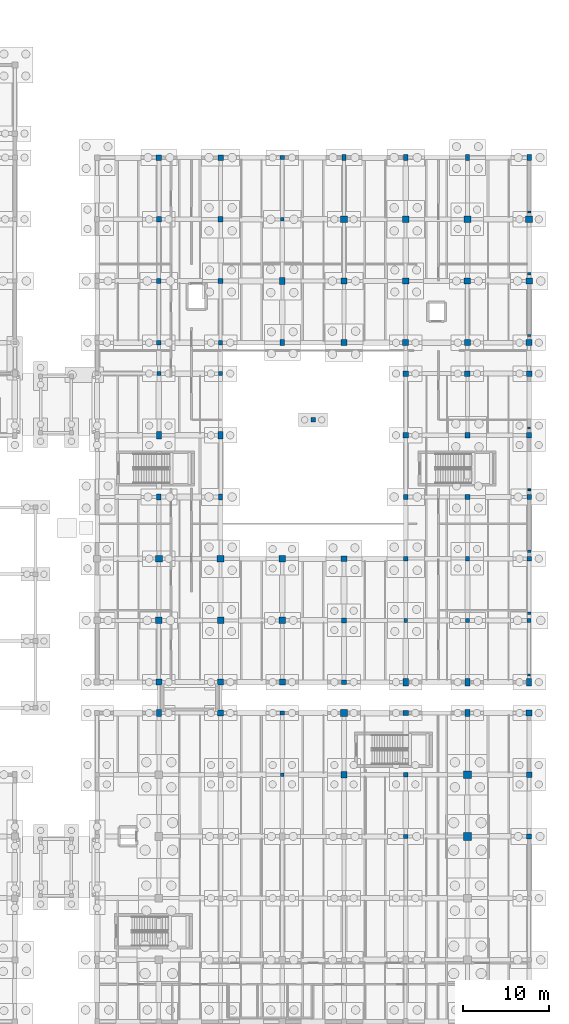
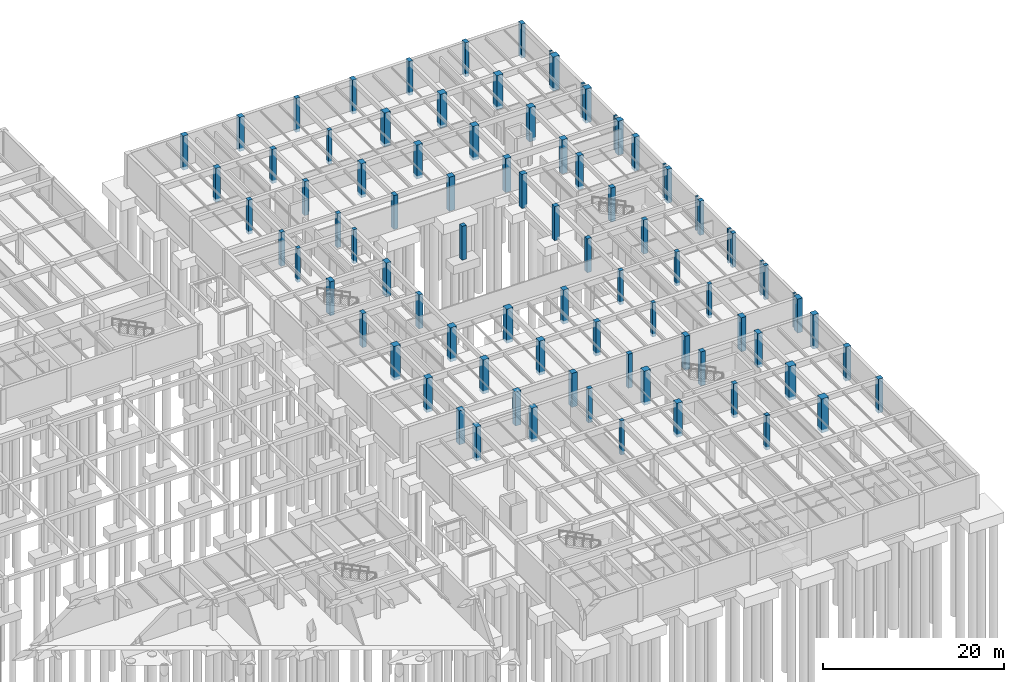
# One storey, part 22 of 63: 88 columns.
"""IFC4 building model written with IfcOpenShell, lengths in metres."""

import ifcopenshell
import ifcopenshell.guid

model = None  # the IFC model being written
_history = None  # IfcOwnerHistory: only IFC2X3 demands one
_inside = {}  # id of a spatial element -> (the spatial element, [elements in it])
_under = {}  # id of a project, library or spatial element -> (it, [spatial elements below it])
_declared = {}  # id of a project -> (the project, [libraries it declares])
_typed = {}  # id of a type object -> (the type object, [elements of that type])
_made_of = {}  # id of a material, layer set ... -> (it, [elements and type objects made of it])


def new_model(schema):
    """Start an empty IFC model of exactly this schema.

    Asked for "IFC4X3", IfcOpenShell would pick the latest addendum, in which some entities
    have other attributes; the version numbers below select the first issue.
    IFC2X3 requires an IfcOwnerHistory on every rooted entity: one is made here for all.
    """
    global model, _history
    if schema == "IFC4X3":
        model = ifcopenshell.file(schema_version=(4, 3, 0, 0))
    else:
        model = ifcopenshell.file(schema=schema)
    _inside.clear()
    _under.clear()
    _declared.clear()
    _typed.clear()
    _made_of.clear()
    _history = None
    if model.schema == "IFC2X3":
        org = make("IfcOrganization", Name="unknown")
        user = make(
            "IfcPersonAndOrganization",
            ThePerson=make("IfcPerson", FamilyName="unknown"),
            TheOrganization=org,
        )
        app = make(
            "IfcApplication",
            ApplicationDeveloper=org,
            Version="unknown",
            ApplicationFullName="unknown",
            ApplicationIdentifier="unknown",
        )
        _history = make(
            "IfcOwnerHistory",
            OwningUser=user,
            OwningApplication=app,
            ChangeAction="ADDED",
            CreationDate=0,
        )
    return model


def make(cls, **values):
    """One entity of the class cls with the attributes given. An attribute that is None is left unset."""
    return model.create_entity(
        cls, **{name: value for name, value in values.items() if value is not None}
    )


def rooted(cls, **values):
    """An entity with a GlobalId (a new one), such as an element, a storey or a relation."""
    return make(cls, GlobalId=ifcopenshell.guid.new(), OwnerHistory=_history, **values)


def si_unit(unit_type, name, prefix=None):
    """IfcSIUnit, for example si_unit("LENGTHUNIT", "METRE", prefix="MILLI")."""
    return make("IfcSIUnit", UnitType=unit_type, Prefix=prefix, Name=name)


def assignment(units):
    """IfcUnitAssignment: the units of a project."""
    return None if units is None else make("IfcUnitAssignment", Units=units)


def point(xyz):
    """IfcCartesianPoint."""
    return None if xyz is None else make("IfcCartesianPoint", Coordinates=xyz)


def direction(xyz):
    """IfcDirection."""
    return None if xyz is None else make("IfcDirection", DirectionRatios=xyz)


def frame(location, z_axis=None, x_axis=None):
    """IfcAxis2Placement3D, a coordinate frame: its origin and axes. An axis left out is left unset."""
    return make(
        "IfcAxis2Placement3D",
        Location=point(location),
        Axis=direction(z_axis),
        RefDirection=direction(x_axis),
    )


def frame_2d(location, x_axis=None):
    """IfcAxis2Placement2D, a coordinate frame in the plane: its origin and x axis."""
    return make(
        "IfcAxis2Placement2D", Location=point(location), RefDirection=direction(x_axis)
    )


def origin():
    """The frame at (0, 0, 0) with its axes left unset."""
    return frame((0.0, 0.0, 0.0))


def origin_2d():
    """The frame at (0, 0) in the plane with its x axis left unset."""
    return frame_2d((0.0, 0.0))


def place(relative_to, where):
    """IfcLocalPlacement: puts the frame where relative to a parent placement (None: the world)."""
    return make(
        "IfcLocalPlacement", PlacementRelTo=relative_to, RelativePlacement=where
    )


def context(
    kind, dimensions, precision=None, world=None, true_north=None, identifier=None
):
    """IfcGeometricRepresentationContext, for example the 3D "Model" context."""
    return make(
        "IfcGeometricRepresentationContext",
        ContextIdentifier=identifier,
        ContextType=kind,
        CoordinateSpaceDimension=dimensions,
        Precision=precision,
        WorldCoordinateSystem=world,
        TrueNorth=true_north,
    )


def subcontext(parent, identifier, kind, view, scale=None):
    """IfcGeometricRepresentationSubContext, for example "Body" below "Model"."""
    return make(
        "IfcGeometricRepresentationSubContext",
        ContextIdentifier=identifier,
        ContextType=kind,
        ParentContext=parent,
        TargetScale=scale,
        TargetView=view,
    )


def project(units=None, contexts=None):
    """IfcProject with its units and contexts."""
    return rooted(
        "IfcProject",
        Name="project",
        RepresentationContexts=contexts,
        UnitsInContext=assignment(units),
    )


def spatial(cls, under=None, at=None, **own):
    """A site, building, storey or space (cls), placed at a placement, below another one or the project."""
    s = rooted(cls, ObjectPlacement=at, **own)
    if under is not None:
        _under.setdefault(under.id(), (under, []))[1].append(s)
    return s


def profile(cls, at=None, kind="AREA", **sizes):
    """A parametric profile (cls). Its sizes go by their IFC names, for example OverallWidth=200.0."""
    return make(cls, ProfileType=kind, Position=at, **sizes)


def rectangle(**sizes):
    """IfcRectangleProfileDef."""
    return profile("IfcRectangleProfileDef", **sizes)


def extrude(swept, where, along, depth):
    """IfcExtrudedAreaSolid: the profile swept, set in the frame where, extruded along a direction by depth."""
    return make(
        "IfcExtrudedAreaSolid",
        SweptArea=swept,
        Position=where,
        ExtrudedDirection=direction(along),
        Depth=depth,
    )


def shape(context_of_items, identifier, shape_type, items):
    """IfcShapeRepresentation: the items that make up one representation, for example the "Body"."""
    return make(
        "IfcShapeRepresentation",
        ContextOfItems=context_of_items,
        RepresentationIdentifier=identifier,
        RepresentationType=shape_type,
        Items=items,
    )


def material(Name=None, Category=None):
    """IfcMaterial."""
    return make("IfcMaterial", Name=Name, Category=Category)


def material_profile(
    of_material, cross_section, Name=None, Category=None, Priority=None
):
    """IfcMaterialProfile: a cross section and its material."""
    return make(
        "IfcMaterialProfile",
        Name=Name,
        Material=of_material,
        Profile=cross_section,
        Priority=Priority,
        Category=Category,
    )


def profile_set(profiles, Name=None, composite=None):
    """IfcMaterialProfileSet."""
    return make(
        "IfcMaterialProfileSet",
        Name=Name,
        MaterialProfiles=profiles,
        CompositeProfile=composite,
    )


def made_of(thing, what):
    """Note that an element or type object is made of a material, layer set ...; save() writes the relation."""
    if what is not None:
        _made_of.setdefault(what.id(), (what, []))[1].append(thing)
    return thing


def type_object(cls, material=None, **own):
    """A type object (cls), such as IfcWallType, which elements share."""
    return made_of(rooted(cls, **own), material)


def element(
    cls,
    number,
    at=None,
    inside=None,
    cuts=None,
    type_object=None,
    material=None,
    context=None,
    identifier="Body",
    shape_type=None,
    held_by="IfcProductDefinitionShape",
    body=None,
    shapes=None,
    **own,
):
    """One element of the class cls, such as IfcWall. Its Tag is "e" and its number.

    at: its placement. inside: the storey or other place that contains it. cuts: it is an
    opening in that element (IfcRelVoidsElement). A single representation is given by context,
    identifier, shape_type and body (its items); several are given by shapes. held_by: the class
    of the entity that holds the representations. save() writes the other relations.
    """
    e = rooted(cls, Tag="e%d" % number, ObjectPlacement=at, **own)
    if body is not None:
        shapes = [shape(context, identifier, shape_type, body)]
    if shapes is not None:
        e.Representation = make(held_by, Representations=shapes)
    if inside is not None:
        _inside.setdefault(inside.id(), (inside, []))[1].append(e)
    if cuts is not None:
        rooted(
            "IfcRelVoidsElement", RelatingBuildingElement=cuts, RelatedOpeningElement=e
        )
    if type_object is not None:
        _typed.setdefault(type_object.id(), (type_object, []))[1].append(e)
    return made_of(e, material)


def aggregate(whole, parts):
    """IfcRelAggregates: a whole, such as a stair, and the parts it consists of."""
    return rooted("IfcRelAggregates", RelatingObject=whole, RelatedObjects=parts)


def save(model, path):
    """Write the relations noted so far, then the file.

    IfcRelAggregates (storeys below a building ...), IfcRelContainedInSpatialStructure (elements
    in a storey), IfcRelDefinesByType, IfcRelAssociatesMaterial and IfcRelDeclares: one each for
    every whole, place, type object, material and project.
    """
    for whole, parts in _under.values():
        aggregate(whole, parts)
    for where, things in _inside.values():
        rooted(
            "IfcRelContainedInSpatialStructure",
            RelatedElements=things,
            RelatingStructure=where,
        )
    for kind, things in _typed.values():
        rooted("IfcRelDefinesByType", RelatedObjects=things, RelatingType=kind)
    for what, things in _made_of.values():
        rooted("IfcRelAssociatesMaterial", RelatedObjects=things, RelatingMaterial=what)
    for by, libraries in _declared.values():
        rooted("IfcRelDeclares", RelatingContext=by, RelatedDefinitions=libraries)
    model.write(path)


model = new_model("IFC4")

# Units and contexts
model_context = context("Model", 3, precision=1e-05, world=origin(), true_north=direction((0.0, 1.0)))
body_context = subcontext(model_context, "Body", "Model", "MODEL_VIEW")
ifc_project = project(units=[si_unit("LENGTHUNIT", "METRE"), si_unit("AREAUNIT", "SQUARE_METRE"), si_unit("VOLUMEUNIT", "CUBIC_METRE"), si_unit("PLANEANGLEUNIT", "RADIAN"), si_unit("MASSUNIT", "GRAM", prefix="KILO")], contexts=[model_context])

# Site, building, storey
site_placement = place(None, origin())
site = spatial("IfcSite", under=ifc_project, at=site_placement, CompositionType="ELEMENT")
building_placement = place(site_placement, origin())
building = spatial("IfcBuilding", under=site, at=building_placement, Name="Mazaris Harbour Polytechnic", CompositionType="ELEMENT")
storey_placement = place(building_placement, frame((0.0, 0.0, -4.5)))
storey = spatial("IfcBuildingStorey", under=building, at=storey_placement, Name="B1", CompositionType="ELEMENT", Elevation=-4.5)

# Columns
ifc_material_1 = material(Name="Concrete C35/45", Category="concrete")
ifc_material_profile_1 = material_profile(ifc_material_1, rectangle(XDim=0.320068359375, YDim=0.219970703125, at=origin_2d()), Name="RECT320x220")
ifc_profile_set_1 = profile_set([ifc_material_profile_1], Name="Concrete C35/45")
column_type_1 = type_object("IfcColumnType", Name="Limestone Pilaster 320x220", PredefinedType="PILASTER", material=ifc_profile_set_1)
for number, where, z_axis, x_axis, name in (
    (1, (172.800048828125, 69.25, -0.419921875), (0.0, 0.0, 1.0), (1.0, 0.0, 0.0), "V5 B1 Giant Order Pilaster 52"),
    (2, (172.800048828125, 101.64990234375, -0.419921875), (0.0, 0.0, 1.0), (1.0, 0.0, 0.0), "V5 B1 Giant Order Pilaster 56"),
):
    element("IfcColumn", number, at=place(storey_placement, frame(where, z_axis=z_axis, x_axis=x_axis)), inside=storey, type_object=column_type_1, Name=name, PredefinedType="PILASTER", context=body_context, shape_type="SweptSolid", body=[
        extrude(rectangle(XDim=0.320068359375, YDim=0.219970703125, at=origin_2d()), origin(), (0.0, 0.0, 1.0), 4.599853515625),
    ])
ifc_material_2 = material(Name="Concrete C35/45", Category="concrete")
ifc_material_profile_2 = material_profile(ifc_material_2, rectangle(XDim=0.360107421875, YDim=0.239990234375, at=origin_2d()), Name="RECT360x240")
ifc_profile_set_2 = profile_set([ifc_material_profile_2], Name="Concrete C35/45")
column_type_2 = type_object("IfcColumnType", Name="Limestone Pilaster 360x240", PredefinedType="PILASTER", material=ifc_profile_set_2)
for number, where, z_axis, x_axis, name in (
    (3, (172.800048828125, 47.64990234375, -0.419921875), (0.0, 0.0, 1.0), (1.0, 0.0, 0.0), "V5 B1 Giant Order Pilaster 49"),
    (4, (172.800048828125, 76.449951171875, -0.419921875), (0.0, 0.0, 1.0), (1.0, 0.0, 0.0), "V5 B1 Giant Order Pilaster 53"),
):
    element("IfcColumn", number, at=place(storey_placement, frame(where, z_axis=z_axis, x_axis=x_axis)), inside=storey, type_object=column_type_2, Name=name, PredefinedType="PILASTER", context=body_context, shape_type="SweptSolid", body=[
        extrude(rectangle(XDim=0.360107421875, YDim=0.239990234375, at=origin_2d()), origin(), (0.0, 0.0, 1.0), 4.599853515625),
    ])
ifc_material_3 = material(Name="Concrete C35/45", Category="concrete")
ifc_material_profile_3 = material_profile(ifc_material_3, rectangle(XDim=0.39990234375, YDim=0.260009765625, at=origin_2d()), Name="RECT400x260")
ifc_profile_set_3 = profile_set([ifc_material_profile_3], Name="Concrete C35/45")
column_type_3 = type_object("IfcColumnType", Name="Limestone Pilaster 400x260", PredefinedType="PILASTER", material=ifc_profile_set_3)
for number, where, z_axis, x_axis, name in (
    (5, (172.800048828125, 54.85009765625, -0.419921875), (0.0, 0.0, 1.0), (1.0, 0.0, 0.0), "V5 B1 Giant Order Pilaster 50"),
    (6, (172.800048828125, 87.25, -0.419921875), (0.0, 0.0, 1.0), (1.0, 0.0, 0.0), "V5 B1 Giant Order Pilaster 54"),
):
    element("IfcColumn", number, at=place(storey_placement, frame(where, z_axis=z_axis, x_axis=x_axis)), inside=storey, type_object=column_type_3, Name=name, PredefinedType="PILASTER", context=body_context, shape_type="SweptSolid", body=[
        extrude(rectangle(XDim=0.39990234375, YDim=0.260009765625, at=origin_2d()), origin(), (0.0, 0.0, 1.0), 4.599853515625),
    ])
ifc_material_4 = material(Name="Concrete C35/45", Category="concrete")
ifc_material_profile_4 = material_profile(ifc_material_4, rectangle(XDim=0.43994140625, YDim=0.280029296875, at=origin_2d()), Name="RECT440x280")
ifc_profile_set_4 = profile_set([ifc_material_profile_4], Name="Concrete C35/45")
column_type_4 = type_object("IfcColumnType", Name="Limestone Pilaster 440x280", PredefinedType="PILASTER", material=ifc_profile_set_4)
for number, where, z_axis, x_axis, name in (
    (7, (172.800048828125, 62.050048828125, -0.419921875), (0.0, 0.0, 1.0), (1.0, 0.0, 0.0), "V5 B1 Giant Order Pilaster 51"),
    (8, (172.800048828125, 94.449951171875, -0.419921875), (0.0, 0.0, 1.0), (1.0, 0.0, 0.0), "V5 B1 Giant Order Pilaster 55"),
):
    element("IfcColumn", number, at=place(storey_placement, frame(where, z_axis=z_axis, x_axis=x_axis)), inside=storey, type_object=column_type_4, Name=name, PredefinedType="PILASTER", context=body_context, shape_type="SweptSolid", body=[
        extrude(rectangle(XDim=0.43994140625, YDim=0.280029296875, at=origin_2d()), origin(), (0.0, 0.0, 1.0), 4.599853515625),
    ])
ifc_material_5 = material(Name="Concrete C40/50", Category="concrete")
ifc_material_profile_5 = material_profile(ifc_material_5, rectangle(XDim=0.449951171875, YDim=0.449951171875, at=origin_2d()), Name="RECT450x450")
ifc_profile_set_5 = profile_set([ifc_material_profile_5], Name="Concrete C40/50")
column_type_5 = type_object("IfcColumnType", Name="RC Column 450x450", PredefinedType="COLUMN", material=ifc_profile_set_5)
for number, where, z_axis, x_axis, name in (
    (9, (144.0, 36.0, -0.419921875), (0.0, 0.0, 1.0), (1.0, 0.0, 0.0), "V2 B1 Column 199"),
    (10, (129.60009765625, 82.800048828125, -0.419921875), (0.0, 0.0, 1.0), (1.0, 0.0, 0.0), "V5 B1 Column 1119"),
    (11, (136.800048828125, 82.800048828125, -0.419921875), (0.0, 0.0, 1.0), (1.0, 0.0, 0.0), "V5 B1 Column 1129"),
    (12, (144.0, 100.800048828125, -0.419921875), (0.0, 0.0, 1.0), (1.0, 0.0, 0.0), "V5 B1 Column 1139"),
    (13, (158.39990234375, 54.0, -0.419921875), (0.0, 0.0, 1.0), (1.0, 0.0, 0.0), "V5 B1 Column 1149"),
    (14, (165.60009765625, 54.0, -0.419921875), (0.0, 0.0, 1.0), (1.0, 0.0, 0.0), "V5 B1 Column 1159"),
    (15, (172.800048828125, 54.0, -0.419921875), (0.0, 0.0, 1.0), (1.0, 0.0, 0.0), "V5 B1 Column 1169"),
):
    element("IfcColumn", number, at=place(storey_placement, frame(where, z_axis=z_axis, x_axis=x_axis)), inside=storey, type_object=column_type_5, Name=name, PredefinedType="COLUMN", context=body_context, shape_type="SweptSolid", body=[
        extrude(rectangle(XDim=0.449951171875, YDim=0.449951171875, at=origin_2d()), origin(), (0.0, 0.0, 1.0), 4.599853515625),
    ])
ifc_material_6 = material(Name="Concrete C40/50", Category="concrete")
ifc_material_profile_6 = material_profile(ifc_material_6, rectangle(XDim=0.5, YDim=0.5, at=origin_2d()), Name="RECT500x500")
ifc_profile_set_6 = profile_set([ifc_material_profile_6], Name="Concrete C40/50")
column_type_6 = type_object("IfcColumnType", Name="RC Column 500x500", PredefinedType="COLUMN", material=ifc_profile_set_6)
column_1_placement = place(storey_placement, frame((144.0, 43.199951171875, -0.419921875), z_axis=(0.0, 0.0, 1.0), x_axis=(1.0, 0.0, 0.0)))
element("IfcColumn", 16, at=column_1_placement, inside=storey, type_object=column_type_6, Name="V2 B1 Column 200", PredefinedType="COLUMN", context=body_context, shape_type="SweptSolid", body=[
    extrude(rectangle(XDim=0.5, YDim=0.5, at=origin_2d()), origin(), (0.0, 0.0, 1.0), 4.599853515625),
])
column_2_placement = place(storey_placement, frame((158.39990234375, 28.800048828125, -0.419921875), z_axis=(0.0, 0.0, 1.0), x_axis=(1.0, 0.0, 0.0)))
element("IfcColumn", 17, at=column_2_placement, inside=storey, type_object=column_type_6, Name="V2 B1 Column 210", PredefinedType="COLUMN", context=body_context, shape_type="SweptSolid", body=[
    extrude(rectangle(XDim=0.5, YDim=0.5, at=origin_2d()), origin(), (0.0, 0.0, 1.0), 4.679931640625),
])
for number, where, z_axis, x_axis, name in (
    (18, (129.60009765625, 86.39990234375, -0.419921875), (0.0, 0.0, 1.0), (1.0, 0.0, 0.0), "V5 B1 Column 1120"),
    (19, (136.800048828125, 86.39990234375, -0.419921875), (0.0, 0.0, 1.0), (1.0, 0.0, 0.0), "V5 B1 Column 1130"),
    (20, (144.0, 108.0, -0.419921875), (0.0, 0.0, 1.0), (1.0, 0.0, 0.0), "V5 B1 Column 1140"),
    (21, (158.39990234375, 61.199951171875, -0.419921875), (0.0, 0.0, 1.0), (1.0, 0.0, 0.0), "V5 B1 Column 1150"),
    (22, (165.60009765625, 61.199951171875, -0.419921875), (0.0, 0.0, 1.0), (1.0, 0.0, 0.0), "V5 B1 Column 1160"),
    (23, (172.800048828125, 61.199951171875, -0.419921875), (0.0, 0.0, 1.0), (1.0, 0.0, 0.0), "V5 B1 Column 1170"),
):
    element("IfcColumn", number, at=place(storey_placement, frame(where, z_axis=z_axis, x_axis=x_axis)), inside=storey, type_object=column_type_6, Name=name, PredefinedType="COLUMN", context=body_context, shape_type="SweptSolid", body=[
        extrude(rectangle(XDim=0.5, YDim=0.5, at=origin_2d()), origin(), (0.0, 0.0, 1.0), 4.599853515625),
    ])
ifc_material_7 = material(Name="Concrete C40/50", Category="concrete")
ifc_material_profile_7 = material_profile(ifc_material_7, rectangle(XDim=0.5, YDim=0.699951171875, at=origin_2d()), Name="RECT500x700")
ifc_profile_set_7 = profile_set([ifc_material_profile_7], Name="Concrete C40/50")
column_type_7 = type_object("IfcColumnType", Name="RC Column 500x700", PredefinedType="COLUMN", material=ifc_profile_set_7)
for number, where, z_axis, x_axis, name in (
    (24, (129.60009765625, 68.39990234375, -0.419921875), (0.0, 0.0, 1.0), (1.0, 0.0, 0.0), "V5 B1 Column 1117"),
    (25, (136.800048828125, 68.39990234375, -0.419921875), (0.0, 0.0, 1.0), (1.0, 0.0, 0.0), "V5 B1 Column 1127"),
    (26, (144.0, 86.39990234375, -0.419921875), (0.0, 0.0, 1.0), (1.0, 0.0, 0.0), "V5 B1 Column 1137"),
    (27, (151.199951171875, 108.0, -0.419921875), (0.0, 0.0, 1.0), (1.0, 0.0, 0.0), "V5 B1 Column 1147"),
    (28, (158.39990234375, 108.0, -0.419921875), (0.0, 0.0, 1.0), (1.0, 0.0, 0.0), "V5 B1 Column 1157"),
    (29, (165.60009765625, 108.0, -0.419921875), (0.0, 0.0, 1.0), (1.0, 0.0, 0.0), "V5 B1 Column 1167"),
    (30, (172.800048828125, 108.0, -0.419921875), (0.0, 0.0, 1.0), (1.0, 0.0, 0.0), "V5 B1 Column 1177"),
):
    element("IfcColumn", number, at=place(storey_placement, frame(where, z_axis=z_axis, x_axis=x_axis)), inside=storey, type_object=column_type_7, Name=name, PredefinedType="COLUMN", context=body_context, shape_type="SweptSolid", body=[
        extrude(rectangle(XDim=0.5, YDim=0.699951171875, at=origin_2d()), origin(), (0.0, 0.0, 1.0), 4.599853515625),
    ])
ifc_material_8 = material(Name="Concrete C40/50", Category="concrete")
ifc_material_profile_8 = material_profile(ifc_material_8, rectangle(XDim=0.550048828125, YDim=0.550048828125, at=origin_2d()), Name="RECT550x550")
ifc_profile_set_8 = profile_set([ifc_material_profile_8], Name="Concrete C40/50")
column_type_8 = type_object("IfcColumnType", Name="RC Column 550x550", PredefinedType="COLUMN", material=ifc_profile_set_8)
for number, where, z_axis, x_axis, name in (
    (31, (158.39990234375, 36.0, -0.419921875), (0.0, 0.0, 1.0), (1.0, 0.0, 0.0), "V2 B1 Column 211"),
    (32, (129.60009765625, 93.60009765625, -0.419921875), (0.0, 0.0, 1.0), (1.0, 0.0, 0.0), "V5 B1 Column 1121"),
    (33, (136.800048828125, 93.60009765625, -0.419921875), (0.0, 0.0, 1.0), (1.0, 0.0, 0.0), "V5 B1 Column 1131"),
    (34, (151.199951171875, 46.800048828125, -0.419921875), (0.0, 0.0, 1.0), (1.0, 0.0, 0.0), "V5 B1 Column 1141"),
    (35, (158.39990234375, 68.39990234375, -0.419921875), (0.0, 0.0, 1.0), (1.0, 0.0, 0.0), "V5 B1 Column 1151"),
    (36, (165.60009765625, 68.39990234375, -0.419921875), (0.0, 0.0, 1.0), (1.0, 0.0, 0.0), "V5 B1 Column 1161"),
    (37, (172.800048828125, 68.39990234375, -0.419921875), (0.0, 0.0, 1.0), (1.0, 0.0, 0.0), "V5 B1 Column 1171"),
):
    element("IfcColumn", number, at=place(storey_placement, frame(where, z_axis=z_axis, x_axis=x_axis)), inside=storey, type_object=column_type_8, Name=name, PredefinedType="COLUMN", context=body_context, shape_type="SweptSolid", body=[
        extrude(rectangle(XDim=0.550048828125, YDim=0.550048828125, at=origin_2d()), origin(), (0.0, 0.0, 1.0), 4.599853515625),
    ])
column_3_placement = place(storey_placement, frame((147.60009765625, 77.39990234375, -0.3798828125), z_axis=(0.0, 0.0, 1.0), x_axis=(1.0, 0.0, 0.0)))
element("IfcColumn", 38, at=column_3_placement, inside=storey, type_object=column_type_8, Name="Courtyard Deck Support Column 34", PredefinedType="COLUMN", context=body_context, shape_type="SweptSolid", body=[
    extrude(rectangle(XDim=0.550048828125, YDim=0.550048828125, at=origin_2d()), origin(), (0.0, 0.0, 1.0), 4.579833984375),
])
ifc_material_9 = material(Name="Concrete C40/50", Category="concrete")
ifc_material_profile_9 = material_profile(ifc_material_9, rectangle(XDim=0.60009765625, YDim=0.60009765625, at=origin_2d()), Name="RECT600x600")
ifc_profile_set_9 = profile_set([ifc_material_profile_9], Name="Concrete C40/50")
column_type_9 = type_object("IfcColumnType", Name="RC Column 600x600", PredefinedType="COLUMN", material=ifc_profile_set_9)
for number, where, z_axis, x_axis, name in (
    (39, (158.39990234375, 43.199951171875, -0.419921875), (0.0, 0.0, 1.0), (1.0, 0.0, 0.0), "V2 B1 Column 212"),
    (40, (172.800048828125, 28.800048828125, -0.419921875), (0.0, 0.0, 1.0), (1.0, 0.0, 0.0), "V2 B1 Column 222"),
    (41, (129.60009765625, 100.800048828125, -0.419921875), (0.0, 0.0, 1.0), (1.0, 0.0, 0.0), "V5 B1 Column 1122"),
    (42, (136.800048828125, 100.800048828125, -0.419921875), (0.0, 0.0, 1.0), (1.0, 0.0, 0.0), "V5 B1 Column 1132"),
    (43, (151.199951171875, 54.0, -0.419921875), (0.0, 0.0, 1.0), (1.0, 0.0, 0.0), "V5 B1 Column 1142"),
    (44, (158.39990234375, 75.60009765625, -0.419921875), (0.0, 0.0, 1.0), (1.0, 0.0, 0.0), "V5 B1 Column 1152"),
    (45, (165.60009765625, 75.60009765625, -0.419921875), (0.0, 0.0, 1.0), (1.0, 0.0, 0.0), "V5 B1 Column 1162"),
    (46, (172.800048828125, 75.60009765625, -0.419921875), (0.0, 0.0, 1.0), (1.0, 0.0, 0.0), "V5 B1 Column 1172"),
):
    element("IfcColumn", number, at=place(storey_placement, frame(where, z_axis=z_axis, x_axis=x_axis)), inside=storey, type_object=column_type_9, Name=name, PredefinedType="COLUMN", context=body_context, shape_type="SweptSolid", body=[
        extrude(rectangle(XDim=0.60009765625, YDim=0.60009765625, at=origin_2d()), origin(), (0.0, 0.0, 1.0), 4.599853515625),
    ])
ifc_material_10 = material(Name="Concrete C40/50", Category="concrete")
ifc_material_profile_10 = material_profile(ifc_material_10, rectangle(XDim=0.60009765625, YDim=0.85009765625, at=origin_2d()), Name="RECT600x850")
ifc_profile_set_10 = profile_set([ifc_material_profile_10], Name="Concrete C40/50")
column_type_10 = type_object("IfcColumnType", Name="RC Column 600x850", PredefinedType="COLUMN", material=ifc_profile_set_10)
for number, where, z_axis, x_axis, name in (
    (47, (129.60009765625, 43.199951171875, -0.419921875), (0.0, 0.0, 1.0), (1.0, 0.0, 0.0), "V2 B1 Column 188"),
    (48, (165.60009765625, 43.199951171875, -0.419921875), (0.0, 0.0, 1.0), (1.0, 0.0, 0.0), "V2 B1 Column 218"),
    (49, (129.60009765625, 75.60009765625, -0.419921875), (0.0, 0.0, 1.0), (1.0, 0.0, 0.0), "V5 B1 Column 1118"),
    (50, (136.800048828125, 75.60009765625, -0.419921875), (0.0, 0.0, 1.0), (1.0, 0.0, 0.0), "V5 B1 Column 1128"),
    (51, (144.0, 93.60009765625, -0.419921875), (0.0, 0.0, 1.0), (1.0, 0.0, 0.0), "V5 B1 Column 1138"),
    (52, (158.39990234375, 46.800048828125, -0.419921875), (0.0, 0.0, 1.0), (1.0, 0.0, 0.0), "V5 B1 Column 1148"),
    (53, (165.60009765625, 46.800048828125, -0.419921875), (0.0, 0.0, 1.0), (1.0, 0.0, 0.0), "V5 B1 Column 1158"),
    (54, (172.800048828125, 46.800048828125, -0.419921875), (0.0, 0.0, 1.0), (1.0, 0.0, 0.0), "V5 B1 Column 1168"),
):
    element("IfcColumn", number, at=place(storey_placement, frame(where, z_axis=z_axis, x_axis=x_axis)), inside=storey, type_object=column_type_10, Name=name, PredefinedType="COLUMN", context=body_context, shape_type="SweptSolid", body=[
        extrude(rectangle(XDim=0.60009765625, YDim=0.85009765625, at=origin_2d()), origin(), (0.0, 0.0, 1.0), 4.599853515625),
    ])
ifc_material_11 = material(Name="Concrete C40/50", Category="concrete")
ifc_material_profile_11 = material_profile(ifc_material_11, rectangle(XDim=0.64990234375, YDim=0.64990234375, at=origin_2d()), Name="RECT650x650")
ifc_profile_set_11 = profile_set([ifc_material_profile_11], Name="Concrete C40/50")
column_type_11 = type_object("IfcColumnType", Name="RC Column 650x650", PredefinedType="COLUMN", material=ifc_profile_set_11)
for number, where, z_axis, x_axis, name in (
    (55, (172.800048828125, 36.0, -0.419921875), (0.0, 0.0, 1.0), (1.0, 0.0, 0.0), "V2 B1 Column 223"),
    (56, (129.60009765625, 108.0, -0.419921875), (0.0, 0.0, 1.0), (1.0, 0.0, 0.0), "V5 B1 Column 1123"),
    (57, (136.800048828125, 108.0, -0.419921875), (0.0, 0.0, 1.0), (1.0, 0.0, 0.0), "V5 B1 Column 1133"),
    (58, (151.199951171875, 61.199951171875, -0.419921875), (0.0, 0.0, 1.0), (1.0, 0.0, 0.0), "V5 B1 Column 1143"),
    (59, (158.39990234375, 82.800048828125, -0.419921875), (0.0, 0.0, 1.0), (1.0, 0.0, 0.0), "V5 B1 Column 1153"),
    (60, (165.60009765625, 82.800048828125, -0.419921875), (0.0, 0.0, 1.0), (1.0, 0.0, 0.0), "V5 B1 Column 1163"),
    (61, (172.800048828125, 82.800048828125, -0.419921875), (0.0, 0.0, 1.0), (1.0, 0.0, 0.0), "V5 B1 Column 1173"),
):
    element("IfcColumn", number, at=place(storey_placement, frame(where, z_axis=z_axis, x_axis=x_axis)), inside=storey, type_object=column_type_11, Name=name, PredefinedType="COLUMN", context=body_context, shape_type="SweptSolid", body=[
        extrude(rectangle(XDim=0.64990234375, YDim=0.64990234375, at=origin_2d()), origin(), (0.0, 0.0, 1.0), 4.599853515625),
    ])
ifc_material_12 = material(Name="Concrete C40/50", Category="concrete")
ifc_material_profile_12 = material_profile(ifc_material_12, rectangle(XDim=0.699951171875, YDim=0.699951171875, at=origin_2d()), Name="RECT700x700")
ifc_profile_set_12 = profile_set([ifc_material_profile_12], Name="Concrete C40/50")
column_type_12 = type_object("IfcColumnType", Name="RC Column 700x700", PredefinedType="COLUMN", material=ifc_profile_set_12)
for number, where, z_axis, x_axis, name in (
    (62, (136.800048828125, 43.199951171875, -0.419921875), (0.0, 0.0, 1.0), (1.0, 0.0, 0.0), "V2 B1 Column 194"),
    (63, (172.800048828125, 43.199951171875, -0.419921875), (0.0, 0.0, 1.0), (1.0, 0.0, 0.0), "V2 B1 Column 224"),
    (64, (129.60009765625, 46.800048828125, -0.419921875), (0.0, 0.0, 1.0), (1.0, 0.0, 0.0), "V5 B1 Column 1114"),
    (65, (136.800048828125, 46.800048828125, -0.419921875), (0.0, 0.0, 1.0), (1.0, 0.0, 0.0), "V5 B1 Column 1124"),
    (66, (144.0, 46.800048828125, -0.419921875), (0.0, 0.0, 1.0), (1.0, 0.0, 0.0), "V5 B1 Column 1134"),
    (67, (151.199951171875, 86.39990234375, -0.419921875), (0.0, 0.0, 1.0), (1.0, 0.0, 0.0), "V5 B1 Column 1144"),
    (68, (158.39990234375, 86.39990234375, -0.419921875), (0.0, 0.0, 1.0), (1.0, 0.0, 0.0), "V5 B1 Column 1154"),
    (69, (165.60009765625, 86.39990234375, -0.419921875), (0.0, 0.0, 1.0), (1.0, 0.0, 0.0), "V5 B1 Column 1164"),
    (70, (172.800048828125, 86.39990234375, -0.419921875), (0.0, 0.0, 1.0), (1.0, 0.0, 0.0), "V5 B1 Column 1174"),
):
    element("IfcColumn", number, at=place(storey_placement, frame(where, z_axis=z_axis, x_axis=x_axis)), inside=storey, type_object=column_type_12, Name=name, PredefinedType="COLUMN", context=body_context, shape_type="SweptSolid", body=[
        extrude(rectangle(XDim=0.699951171875, YDim=0.699951171875, at=origin_2d()), origin(), (0.0, 0.0, 1.0), 4.599853515625),
    ])
ifc_material_13 = material(Name="Concrete C40/50", Category="concrete")
ifc_material_profile_13 = material_profile(ifc_material_13, rectangle(XDim=0.75, YDim=0.75, at=origin_2d()), Name="RECT750x750")
ifc_profile_set_13 = profile_set([ifc_material_profile_13], Name="Concrete C40/50")
column_type_13 = type_object("IfcColumnType", Name="RC Column 750x750", PredefinedType="COLUMN", material=ifc_profile_set_13)
for number, where, z_axis, x_axis, name in (
    (71, (151.199951171875, 36.0, -0.419921875), (0.0, 0.0, 1.0), (1.0, 0.0, 0.0), "V2 B1 Column 205"),
    (72, (129.60009765625, 54.0, -0.419921875), (0.0, 0.0, 1.0), (1.0, 0.0, 0.0), "V5 B1 Column 1115"),
    (73, (136.800048828125, 54.0, -0.419921875), (0.0, 0.0, 1.0), (1.0, 0.0, 0.0), "V5 B1 Column 1125"),
    (74, (144.0, 54.0, -0.419921875), (0.0, 0.0, 1.0), (1.0, 0.0, 0.0), "V5 B1 Column 1135"),
    (75, (151.199951171875, 93.60009765625, -0.419921875), (0.0, 0.0, 1.0), (1.0, 0.0, 0.0), "V5 B1 Column 1145"),
    (76, (158.39990234375, 93.60009765625, -0.419921875), (0.0, 0.0, 1.0), (1.0, 0.0, 0.0), "V5 B1 Column 1155"),
    (77, (165.60009765625, 93.60009765625, -0.419921875), (0.0, 0.0, 1.0), (1.0, 0.0, 0.0), "V5 B1 Column 1165"),
    (78, (172.800048828125, 93.60009765625, -0.419921875), (0.0, 0.0, 1.0), (1.0, 0.0, 0.0), "V5 B1 Column 1175"),
):
    element("IfcColumn", number, at=place(storey_placement, frame(where, z_axis=z_axis, x_axis=x_axis)), inside=storey, type_object=column_type_13, Name=name, PredefinedType="COLUMN", context=body_context, shape_type="SweptSolid", body=[
        extrude(rectangle(XDim=0.75, YDim=0.75, at=origin_2d()), origin(), (0.0, 0.0, 1.0), 4.599853515625),
    ])
ifc_material_14 = material(Name="Concrete C40/50", Category="concrete")
ifc_material_profile_14 = material_profile(ifc_material_14, rectangle(XDim=0.800048828125, YDim=0.800048828125, at=origin_2d()), Name="RECT800x800")
ifc_profile_set_14 = profile_set([ifc_material_profile_14], Name="Concrete C40/50")
column_type_14 = type_object("IfcColumnType", Name="RC Column 800x800", PredefinedType="COLUMN", material=ifc_profile_set_14)
for number, where, z_axis, x_axis, name in (
    (79, (151.199951171875, 43.199951171875, -0.419921875), (0.0, 0.0, 1.0), (1.0, 0.0, 0.0), "V2 B1 Column 206"),
    (80, (129.60009765625, 61.199951171875, -0.419921875), (0.0, 0.0, 1.0), (1.0, 0.0, 0.0), "V5 B1 Column 1116"),
    (81, (136.800048828125, 61.199951171875, -0.419921875), (0.0, 0.0, 1.0), (1.0, 0.0, 0.0), "V5 B1 Column 1126"),
    (82, (144.0, 61.199951171875, -0.419921875), (0.0, 0.0, 1.0), (1.0, 0.0, 0.0), "V5 B1 Column 1136"),
    (83, (151.199951171875, 100.800048828125, -0.419921875), (0.0, 0.0, 1.0), (1.0, 0.0, 0.0), "V5 B1 Column 1146"),
    (84, (158.39990234375, 100.800048828125, -0.419921875), (0.0, 0.0, 1.0), (1.0, 0.0, 0.0), "V5 B1 Column 1156"),
    (85, (165.60009765625, 100.800048828125, -0.419921875), (0.0, 0.0, 1.0), (1.0, 0.0, 0.0), "V5 B1 Column 1166"),
    (86, (172.800048828125, 100.800048828125, -0.419921875), (0.0, 0.0, 1.0), (1.0, 0.0, 0.0), "V5 B1 Column 1176"),
):
    element("IfcColumn", number, at=place(storey_placement, frame(where, z_axis=z_axis, x_axis=x_axis)), inside=storey, type_object=column_type_14, Name=name, PredefinedType="COLUMN", context=body_context, shape_type="SweptSolid", body=[
        extrude(rectangle(XDim=0.800048828125, YDim=0.800048828125, at=origin_2d()), origin(), (0.0, 0.0, 1.0), 4.599853515625),
    ])
ifc_material_15 = material(Name="Concrete C40/50", Category="concrete")
ifc_material_profile_15 = material_profile(ifc_material_15, rectangle(XDim=0.89990234375, YDim=0.89990234375, at=origin_2d()), Name="RECT900x900")
ifc_profile_set_15 = profile_set([ifc_material_profile_15], Name="Concrete C40/50")
column_type_15 = type_object("IfcColumnType", Name="RC Column 900x900", PredefinedType="COLUMN", material=ifc_profile_set_15)
for number, where, z_axis, x_axis, name in (
    (87, (165.60009765625, 28.800048828125, -0.419921875), (0.0, 0.0, 1.0), (1.0, 0.0, 0.0), "V2 B1 Column 216"),
    (88, (165.60009765625, 36.0, -0.419921875), (0.0, 0.0, 1.0), (1.0, 0.0, 0.0), "V2 B1 Column 217"),
):
    element("IfcColumn", number, at=place(storey_placement, frame(where, z_axis=z_axis, x_axis=x_axis)), inside=storey, type_object=column_type_15, Name=name, PredefinedType="COLUMN", context=body_context, shape_type="SweptSolid", body=[
        extrude(rectangle(XDim=0.89990234375, YDim=0.89990234375, at=origin_2d()), origin(), (0.0, 0.0, 1.0), 4.599853515625),
    ])

save(model, "model.ifc")
